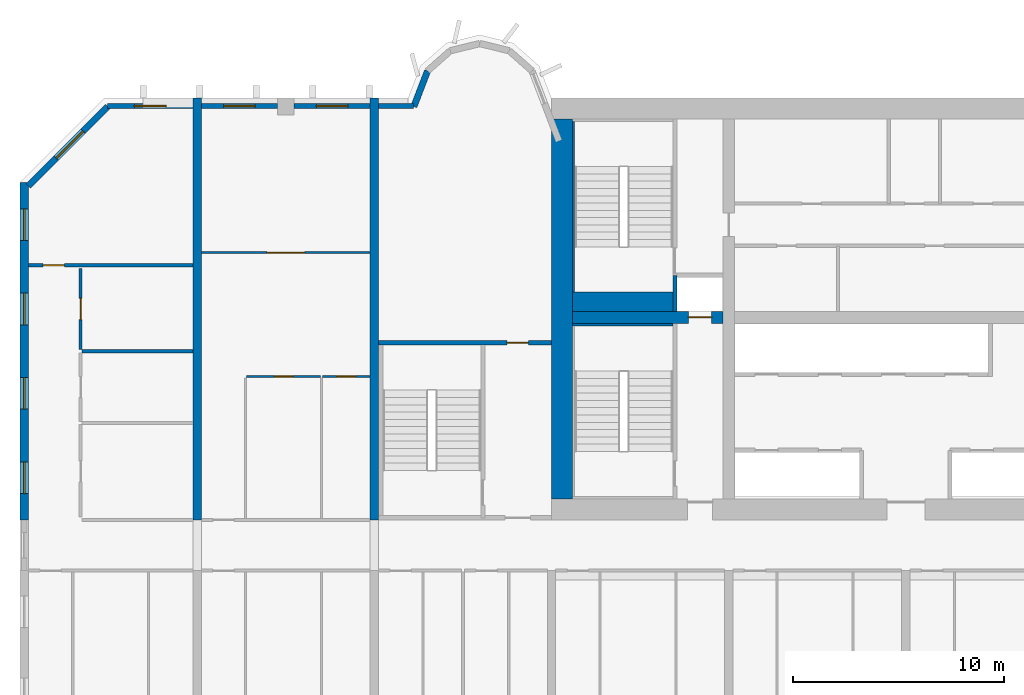
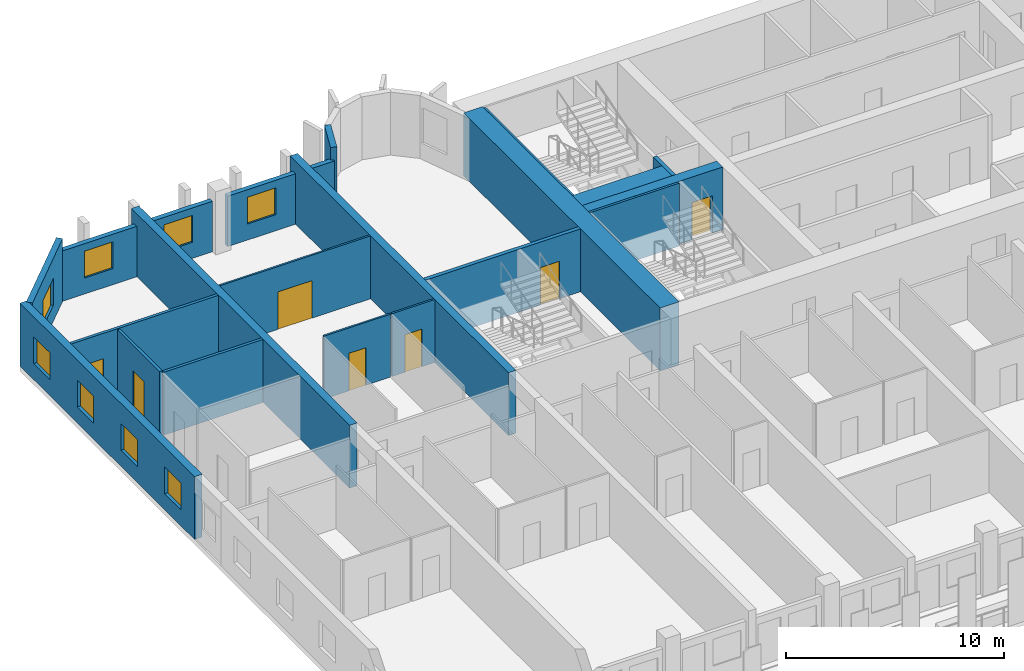
# One storey, part 6 of 15: 22 walls, 8 windows, 7 doors, 15 openings.
"""IFC4 building model written with IfcOpenShell, lengths in metres."""

import ifcopenshell
import ifcopenshell.guid

model = None  # the IFC model being written
_history = None  # IfcOwnerHistory: only IFC2X3 demands one
_inside = {}  # id of a spatial element -> (the spatial element, [elements in it])
_under = {}  # id of a project, library or spatial element -> (it, [spatial elements below it])
_declared = {}  # id of a project -> (the project, [libraries it declares])
_typed = {}  # id of a type object -> (the type object, [elements of that type])
_made_of = {}  # id of a material, layer set ... -> (it, [elements and type objects made of it])


def new_model(schema):
    """Start an empty IFC model of exactly this schema.

    Asked for "IFC4X3", IfcOpenShell would pick the latest addendum, in which some entities
    have other attributes; the version numbers below select the first issue.
    IFC2X3 requires an IfcOwnerHistory on every rooted entity: one is made here for all.
    """
    global model, _history
    if schema == "IFC4X3":
        model = ifcopenshell.file(schema_version=(4, 3, 0, 0))
    else:
        model = ifcopenshell.file(schema=schema)
    _inside.clear()
    _under.clear()
    _declared.clear()
    _typed.clear()
    _made_of.clear()
    _history = None
    if model.schema == "IFC2X3":
        org = make("IfcOrganization", Name="unknown")
        user = make(
            "IfcPersonAndOrganization",
            ThePerson=make("IfcPerson", FamilyName="unknown"),
            TheOrganization=org,
        )
        app = make(
            "IfcApplication",
            ApplicationDeveloper=org,
            Version="unknown",
            ApplicationFullName="unknown",
            ApplicationIdentifier="unknown",
        )
        _history = make(
            "IfcOwnerHistory",
            OwningUser=user,
            OwningApplication=app,
            ChangeAction="ADDED",
            CreationDate=0,
        )
    return model


def make(cls, **values):
    """One entity of the class cls with the attributes given. An attribute that is None is left unset."""
    return model.create_entity(
        cls, **{name: value for name, value in values.items() if value is not None}
    )


def rooted(cls, **values):
    """An entity with a GlobalId (a new one), such as an element, a storey or a relation."""
    return make(cls, GlobalId=ifcopenshell.guid.new(), OwnerHistory=_history, **values)


def si_unit(unit_type, name, prefix=None):
    """IfcSIUnit, for example si_unit("LENGTHUNIT", "METRE", prefix="MILLI")."""
    return make("IfcSIUnit", UnitType=unit_type, Prefix=prefix, Name=name)


def assignment(units):
    """IfcUnitAssignment: the units of a project."""
    return None if units is None else make("IfcUnitAssignment", Units=units)


def point(xyz):
    """IfcCartesianPoint."""
    return None if xyz is None else make("IfcCartesianPoint", Coordinates=xyz)


def direction(xyz):
    """IfcDirection."""
    return None if xyz is None else make("IfcDirection", DirectionRatios=xyz)


def frame(location, z_axis=None, x_axis=None):
    """IfcAxis2Placement3D, a coordinate frame: its origin and axes. An axis left out is left unset."""
    return make(
        "IfcAxis2Placement3D",
        Location=point(location),
        Axis=direction(z_axis),
        RefDirection=direction(x_axis),
    )


def frame_2d(location, x_axis=None):
    """IfcAxis2Placement2D, a coordinate frame in the plane: its origin and x axis."""
    return make(
        "IfcAxis2Placement2D", Location=point(location), RefDirection=direction(x_axis)
    )


def origin():
    """The frame at (0, 0, 0) with its axes left unset."""
    return frame((0.0, 0.0, 0.0))


def place(relative_to, where):
    """IfcLocalPlacement: puts the frame where relative to a parent placement (None: the world)."""
    return make(
        "IfcLocalPlacement", PlacementRelTo=relative_to, RelativePlacement=where
    )


def context(
    kind, dimensions, precision=None, world=None, true_north=None, identifier=None
):
    """IfcGeometricRepresentationContext, for example the 3D "Model" context."""
    return make(
        "IfcGeometricRepresentationContext",
        ContextIdentifier=identifier,
        ContextType=kind,
        CoordinateSpaceDimension=dimensions,
        Precision=precision,
        WorldCoordinateSystem=world,
        TrueNorth=true_north,
    )


def subcontext(parent, identifier, kind, view, scale=None):
    """IfcGeometricRepresentationSubContext, for example "Body" below "Model"."""
    return make(
        "IfcGeometricRepresentationSubContext",
        ContextIdentifier=identifier,
        ContextType=kind,
        ParentContext=parent,
        TargetScale=scale,
        TargetView=view,
    )


def project(units=None, contexts=None):
    """IfcProject with its units and contexts."""
    return rooted(
        "IfcProject",
        Name="project",
        RepresentationContexts=contexts,
        UnitsInContext=assignment(units),
    )


def spatial(cls, under=None, at=None, **own):
    """A site, building, storey or space (cls), placed at a placement, below another one or the project."""
    s = rooted(cls, ObjectPlacement=at, **own)
    if under is not None:
        _under.setdefault(under.id(), (under, []))[1].append(s)
    return s


def profile(cls, at=None, kind="AREA", **sizes):
    """A parametric profile (cls). Its sizes go by their IFC names, for example OverallWidth=200.0."""
    return make(cls, ProfileType=kind, Position=at, **sizes)


def rectangle(**sizes):
    """IfcRectangleProfileDef."""
    return profile("IfcRectangleProfileDef", **sizes)


def extrude(swept, where, along, depth):
    """IfcExtrudedAreaSolid: the profile swept, set in the frame where, extruded along a direction by depth."""
    return make(
        "IfcExtrudedAreaSolid",
        SweptArea=swept,
        Position=where,
        ExtrudedDirection=direction(along),
        Depth=depth,
    )


def shape(context_of_items, identifier, shape_type, items):
    """IfcShapeRepresentation: the items that make up one representation, for example the "Body"."""
    return make(
        "IfcShapeRepresentation",
        ContextOfItems=context_of_items,
        RepresentationIdentifier=identifier,
        RepresentationType=shape_type,
        Items=items,
    )


def source(mapping_origin, context_of_items, identifier, shape_type, items):
    """IfcRepresentationMap: a shape defined once, which mapped items show again and again."""
    return make(
        "IfcRepresentationMap",
        MappingOrigin=mapping_origin,
        MappedRepresentation=shape(context_of_items, identifier, shape_type, items),
    )


def transform(
    local_origin,
    x_axis=None,
    y_axis=None,
    z_axis=None,
    scale=None,
    scale2=None,
    scale3=None,
    uniform=True,
):
    """IfcCartesianTransformationOperator3D, or its non-uniform kind. x_axis, y_axis, z_axis: its Axis1, 2, 3."""
    if uniform:
        return make(
            "IfcCartesianTransformationOperator3D",
            Axis1=direction(x_axis),
            Axis2=direction(y_axis),
            LocalOrigin=point(local_origin),
            Scale=scale,
            Axis3=direction(z_axis),
        )
    return make(
        "IfcCartesianTransformationOperator3DnonUniform",
        Axis1=direction(x_axis),
        Axis2=direction(y_axis),
        LocalOrigin=point(local_origin),
        Scale=scale,
        Axis3=direction(z_axis),
        Scale2=scale2,
        Scale3=scale3,
    )


def mapped(mapping_source, mapping_target):
    """IfcMappedItem: shows the shape of a source again, moved by a transform."""
    return make(
        "IfcMappedItem", MappingSource=mapping_source, MappingTarget=mapping_target
    )


def material(Name=None, Category=None):
    """IfcMaterial."""
    return make("IfcMaterial", Name=Name, Category=Category)


def layer(
    of_material, thickness, ventilated=None, Name=None, Category=None, Priority=None
):
    """IfcMaterialLayer: one layer of a wall or slab, of a material (None: an air gap)."""
    return make(
        "IfcMaterialLayer",
        Material=of_material,
        LayerThickness=thickness,
        IsVentilated=ventilated,
        Name=Name,
        Category=Category,
        Priority=Priority,
    )


def layer_set(layers, Name=None):
    """IfcMaterialLayerSet."""
    return make("IfcMaterialLayerSet", MaterialLayers=layers, LayerSetName=Name)


def made_of(thing, what):
    """Note that an element or type object is made of a material, layer set ...; save() writes the relation."""
    if what is not None:
        _made_of.setdefault(what.id(), (what, []))[1].append(thing)
    return thing


def type_object(cls, material=None, **own):
    """A type object (cls), such as IfcWallType, which elements share."""
    return made_of(rooted(cls, **own), material)


def element(
    cls,
    number,
    at=None,
    inside=None,
    cuts=None,
    type_object=None,
    material=None,
    context=None,
    identifier="Body",
    shape_type=None,
    held_by="IfcProductDefinitionShape",
    body=None,
    shapes=None,
    **own,
):
    """One element of the class cls, such as IfcWall. Its Tag is "e" and its number.

    at: its placement. inside: the storey or other place that contains it. cuts: it is an
    opening in that element (IfcRelVoidsElement). A single representation is given by context,
    identifier, shape_type and body (its items); several are given by shapes. held_by: the class
    of the entity that holds the representations. save() writes the other relations.
    """
    e = rooted(cls, Tag="e%d" % number, ObjectPlacement=at, **own)
    if body is not None:
        shapes = [shape(context, identifier, shape_type, body)]
    if shapes is not None:
        e.Representation = make(held_by, Representations=shapes)
    if inside is not None:
        _inside.setdefault(inside.id(), (inside, []))[1].append(e)
    if cuts is not None:
        rooted(
            "IfcRelVoidsElement", RelatingBuildingElement=cuts, RelatedOpeningElement=e
        )
    if type_object is not None:
        _typed.setdefault(type_object.id(), (type_object, []))[1].append(e)
    return made_of(e, material)


def fill(opening, filler):
    """IfcRelFillsElement: the door or window that sits in an opening."""
    return rooted(
        "IfcRelFillsElement",
        RelatingOpeningElement=opening,
        RelatedBuildingElement=filler,
    )


def aggregate(whole, parts):
    """IfcRelAggregates: a whole, such as a stair, and the parts it consists of."""
    return rooted("IfcRelAggregates", RelatingObject=whole, RelatedObjects=parts)


def save(model, path):
    """Write the relations noted so far, then the file.

    IfcRelAggregates (storeys below a building ...), IfcRelContainedInSpatialStructure (elements
    in a storey), IfcRelDefinesByType, IfcRelAssociatesMaterial and IfcRelDeclares: one each for
    every whole, place, type object, material and project.
    """
    for whole, parts in _under.values():
        aggregate(whole, parts)
    for where, things in _inside.values():
        rooted(
            "IfcRelContainedInSpatialStructure",
            RelatedElements=things,
            RelatingStructure=where,
        )
    for kind, things in _typed.values():
        rooted("IfcRelDefinesByType", RelatedObjects=things, RelatingType=kind)
    for what, things in _made_of.values():
        rooted("IfcRelAssociatesMaterial", RelatedObjects=things, RelatingMaterial=what)
    for by, libraries in _declared.values():
        rooted("IfcRelDeclares", RelatingContext=by, RelatedDefinitions=libraries)
    model.write(path)


model = new_model("IFC4")

# Units and contexts
model_context = context("Model", 3, precision=1e-05, world=origin(), true_north=direction((0.0, 1.0)))
body_context = subcontext(model_context, "Body", "Model", "MODEL_VIEW")
ifc_project = project(units=[si_unit("LENGTHUNIT", "METRE"), si_unit("AREAUNIT", "SQUARE_METRE"), si_unit("VOLUMEUNIT", "CUBIC_METRE"), si_unit("PLANEANGLEUNIT", "RADIAN"), si_unit("MASSUNIT", "GRAM", prefix="KILO")], contexts=[model_context])

# Site, building, storey
site_placement = place(None, origin())
site = spatial("IfcSite", under=ifc_project, at=site_placement, CompositionType="ELEMENT")
building_placement = place(site_placement, origin())
building = spatial("IfcBuilding", under=site, at=building_placement, Name="Vanashikhar Sky Hotel", CompositionType="ELEMENT")
storey_placement = place(building_placement, frame((0.0, 0.0, 65.800048828125)))
storey = spatial("IfcBuildingStorey", under=building, at=storey_placement, Name="L15", CompositionType="ELEMENT", Elevation=65.800048828125)

# Wall
ifc_material_1 = material(Name="Concrete M80", Category="concrete")
ifc_layer_1 = layer(ifc_material_1, 1.0)
ifc_layer_set_1 = layer_set([ifc_layer_1], Name="RC core shell wall 1000 Concrete M80")
wall_type_1 = type_object("IfcWallType", Name="RC core shell wall 1000 Concrete M80", PredefinedType="SHEAR", material=ifc_layer_set_1)
shared_shape_1 = source(origin(), body_context, "Body", "SweptSolid", [
    extrude(rectangle(XDim=18.0, YDim=1.0, at=frame_2d((9.0, 0.0))), origin(), (0.0, 0.0, 1.0), 3.52001953125),
])
wall_1_placement = place(storey_placement, frame((25.699951171875, 23.0, 0.0), z_axis=(0.0, 0.0, 1.0), x_axis=(0.0, 1.0, 0.0)))
element("IfcWall", 1, at=wall_1_placement, inside=storey, type_object=wall_type_1, Name="KW-L15-KW", PredefinedType="SHEAR", context=body_context, shape_type="MappedRepresentation", body=[
    mapped(shared_shape_1, transform((0.0, 0.0, 0.0), scale=1.0)),
])

# Wall, opening, door
ifc_layer_2 = layer(ifc_material_1, 0.550048828125)
ifc_layer_set_2 = layer_set([ifc_layer_2], Name="RC core inner wall 550 Concrete M80")
wall_type_2 = type_object("IfcWallType", Name="RC core inner wall 550 Concrete M80", PredefinedType="SHEAR", material=ifc_layer_set_2)
shared_shape_2 = source(origin(), body_context, "Body", "SweptSolid", [
    extrude(rectangle(XDim=7.125, YDim=0.550048828125, at=frame_2d((3.5625, 0.0))), origin(), (0.0, 0.0, 1.0), 3.52001953125),
])
wall_2_placement = place(storey_placement, frame((26.199951171875, 31.60009765625, 0.0), z_axis=(0.0, 0.0, 1.0), x_axis=(1.0, 0.0, 0.0)))
wall_2 = element("IfcWall", 2, at=wall_2_placement, inside=storey, type_object=wall_type_2, Name="KW-L15-KY1", PredefinedType="SHEAR", context=body_context, shape_type="MappedRepresentation", body=[
    mapped(shared_shape_2, transform((0.0, 0.0, 0.0), scale=1.0)),
])
shared_shape_3 = source(origin(), body_context, "Body", "SweptSolid", [
    extrude(rectangle(XDim=1.10009765625, YDim=2.10009765625, at=frame_2d((0.550048828125, 1.050048828125))), frame((0.0, 0.28515625, 0.0), z_axis=(0.0, -1.0, 0.0), x_axis=(1.0, 0.0, 0.0)), (0.0, 0.0, 1.0), 0.570068359375),
])
opening_1_placement = place(wall_2_placement, frame((5.488037109375, 0.0, 0.0)))
opening_1 = element("IfcOpeningElement", 3, at=opening_1_placement, cuts=wall_2, Name="Opening LD", PredefinedType="OPENING", context=body_context, shape_type="MappedRepresentation", body=[
    mapped(shared_shape_3, transform((0.0, 0.0, 0.0), scale=1.0)),
])
ifc_material_2 = material(Name="Stainless steel", Category="steel")
door_type_1 = type_object("IfcDoorType", Name="Lift landing door 1100", OperationType="NOTDEFINED", PredefinedType="DOOR", material=ifc_material_2)
shared_shape_4 = source(origin(), body_context, "Body", "SweptSolid", [
    extrude(rectangle(XDim=1.10009765625, YDim=2.10009765625, at=frame_2d((0.550048828125, 1.050048828125))), frame((0.0, 0.02490234375, 0.0), z_axis=(0.0, -1.0, 0.0), x_axis=(1.0, 0.0, 0.0)), (0.0, 0.0, 1.0), 0.050048828125),
])
door_1_placement = place(opening_1_placement, origin())
door_1 = element("IfcDoor", 4, at=door_1_placement, inside=storey, type_object=door_type_1, Name="Lift landing door 1100", OperationType="SLIDING_TO_RIGHT", OverallHeight=2.10009765625, OverallWidth=1.10009765625, PredefinedType="DOOR", context=body_context, shape_type="MappedRepresentation", body=[
    mapped(shared_shape_4, transform((0.0, 0.0, 0.0), scale=1.0)),
])
fill(opening_1, door_1)

# Wall, openings, windows
ifc_layer_3 = layer(ifc_material_1, 0.39990234375)
ifc_layer_set_3 = layer_set([ifc_layer_3], Name="RC shear wall 400 Concrete M80")
wall_type_3 = type_object("IfcWallType", Name="RC shear wall 400 Concrete M80", PredefinedType="SHEAR", material=ifc_layer_set_3)
shared_shape_5 = source(origin(), body_context, "Body", "SweptSolid", [
    extrude(rectangle(XDim=16.0, YDim=0.39990234375, at=frame_2d((8.0, 0.0))), origin(), (0.0, 0.0, 1.0), 3.52001953125),
])
wall_3_placement = place(storey_placement, frame((0.199951171875, 22.0, 0.0), z_axis=(0.0, 0.0, 1.0), x_axis=(0.0, 1.0, 0.0)))
wall_3 = element("IfcWall", 5, at=wall_3_placement, inside=storey, type_object=wall_type_3, Name="CW-L15-XW01-2", PredefinedType="SHEAR", context=body_context, shape_type="MappedRepresentation", body=[
    mapped(shared_shape_5, transform((0.0, 0.0, 0.0), scale=1.0)),
])
shared_shape_6 = source(origin(), body_context, "Body", "SweptSolid", [
    extrude(rectangle(XDim=1.5, YDim=1.5, at=frame_2d((0.75, 0.75))), frame((0.0, 0.2099609375, 0.0), z_axis=(0.0, -1.0, 0.0), x_axis=(1.0, 0.0, 0.0)), (0.0, 0.0, 1.0), 0.419921875),
])
opening_2_placement = place(wall_3_placement, frame((1.25, 0.0, 0.89990234375)))
opening_2 = element("IfcOpeningElement", 6, at=opening_2_placement, cuts=wall_3, Name="Opening WN-1", PredefinedType="OPENING", context=body_context, shape_type="MappedRepresentation", body=[
    mapped(shared_shape_6, transform((0.0, 0.0, 0.0), scale=1.0)),
])
opening_3_placement = place(wall_3_placement, frame((5.25, 0.0, 0.89990234375)))
opening_3 = element("IfcOpeningElement", 7, at=opening_3_placement, cuts=wall_3, Name="Opening WN-1", PredefinedType="OPENING", context=body_context, shape_type="MappedRepresentation", body=[
    mapped(shared_shape_6, transform((0.0, 0.0, 0.0), scale=1.0)),
])
opening_4_placement = place(wall_3_placement, frame((9.25, 0.0, 0.89990234375)))
opening_4 = element("IfcOpeningElement", 8, at=opening_4_placement, cuts=wall_3, Name="Opening WN-1", PredefinedType="OPENING", context=body_context, shape_type="MappedRepresentation", body=[
    mapped(shared_shape_6, transform((0.0, 0.0, 0.0), scale=1.0)),
])
opening_5_placement = place(wall_3_placement, frame((13.25, 0.0, 0.89990234375)))
opening_5 = element("IfcOpeningElement", 9, at=opening_5_placement, cuts=wall_3, Name="Opening WN-1", PredefinedType="OPENING", context=body_context, shape_type="MappedRepresentation", body=[
    mapped(shared_shape_6, transform((0.0, 0.0, 0.0), scale=1.0)),
])
ifc_material_3 = material(Name="Glass", Category="glass")
window_type_1 = type_object("IfcWindowType", Name="Window 1500 x 1500", PartitioningType="SINGLE_PANEL", PredefinedType="WINDOW", material=ifc_material_3)
shared_shape_7 = source(origin(), body_context, "Body", "SweptSolid", [
    extrude(rectangle(XDim=1.5, YDim=1.5, at=frame_2d((0.75, 0.75))), frame((0.0, 0.030029296875, 0.0), z_axis=(0.0, -1.0, 0.0), x_axis=(1.0, 0.0, 0.0)), (0.0, 0.0, 1.0), 0.06005859375),
])
window_1_placement = place(opening_2_placement, origin())
window_1 = element("IfcWindow", 10, at=window_1_placement, inside=storey, type_object=window_type_1, Name="Window WN-1", OverallHeight=1.5, OverallWidth=1.5, PartitioningType="SINGLE_PANEL", PredefinedType="WINDOW", context=body_context, shape_type="MappedRepresentation", body=[
    mapped(shared_shape_7, transform((0.0, 0.0, 0.0), scale=1.0)),
])
fill(opening_2, window_1)
window_2_placement = place(opening_3_placement, origin())
window_2 = element("IfcWindow", 11, at=window_2_placement, inside=storey, type_object=window_type_1, Name="Window WN-1", OverallHeight=1.5, OverallWidth=1.5, PartitioningType="SINGLE_PANEL", PredefinedType="WINDOW", context=body_context, shape_type="MappedRepresentation", body=[
    mapped(shared_shape_7, transform((0.0, 0.0, 0.0), scale=1.0)),
])
fill(opening_3, window_2)
window_3_placement = place(opening_4_placement, origin())
window_3 = element("IfcWindow", 12, at=window_3_placement, inside=storey, type_object=window_type_1, Name="Window WN-1", OverallHeight=1.5, OverallWidth=1.5, PartitioningType="SINGLE_PANEL", PredefinedType="WINDOW", context=body_context, shape_type="MappedRepresentation", body=[
    mapped(shared_shape_7, transform((0.0, 0.0, 0.0), scale=1.0)),
])
fill(opening_4, window_3)
window_4_placement = place(opening_5_placement, origin())
window_4 = element("IfcWindow", 13, at=window_4_placement, inside=storey, type_object=window_type_1, Name="Window WN-1", OverallHeight=1.5, OverallWidth=1.5, PartitioningType="SINGLE_PANEL", PredefinedType="WINDOW", context=body_context, shape_type="MappedRepresentation", body=[
    mapped(shared_shape_7, transform((0.0, 0.0, 0.0), scale=1.0)),
])
fill(opening_5, window_4)

# Walls
shared_shape_8 = source(origin(), body_context, "Body", "SweptSolid", [
    extrude(rectangle(XDim=20.0, YDim=0.39990234375, at=frame_2d((10.0, 0.0))), origin(), (0.0, 0.0, 1.0), 3.52001953125),
])
for number, where, z_axis, x_axis, name in (
    (14, (8.39990234375, 22.0, 0.0), (0.0, 0.0, 1.0), (0.0, 1.0, 0.0), "CW-L15-XW02-2"),
    (15, (16.800048828125, 22.0, 0.0), (0.0, 0.0, 1.0), (0.0, 1.0, 0.0), "CW-L15-XW03-2"),
):
    element("IfcWall", number, at=place(storey_placement, frame(where, z_axis=z_axis, x_axis=x_axis)), inside=storey, type_object=wall_type_3, Name=name, PredefinedType="SHEAR", context=body_context, shape_type="MappedRepresentation", body=[
        mapped(shared_shape_8, transform((0.0, 0.0, 0.0), scale=1.0)),
    ])

# Wall, opening, window
ifc_material_4 = material(Name="Concrete M50", Category="concrete")
ifc_layer_4 = layer(ifc_material_4, 0.300048828125)
ifc_layer_set_4 = layer_set([ifc_layer_4], Name="Lobe wall 300")
wall_type_4 = type_object("IfcWallType", Name="Lobe wall 300", PredefinedType="SOLIDWALL", material=ifc_layer_set_4)
shared_shape_9 = source(origin(), body_context, "Body", "SweptSolid", [
    extrude(rectangle(XDim=5.32568359375, YDim=0.300048828125, at=frame_2d((2.662841796875, 0.0))), origin(), (0.0, 0.0, 1.0), 3.52001953125),
])
wall_4_placement = place(storey_placement, frame((4.165771484375, 41.60009765625, 0.0), z_axis=(0.0, 0.0, 1.0), x_axis=(-0.707106781187, -0.707106781187, 0.0)))
wall_4 = element("IfcWall", 16, at=wall_4_placement, inside=storey, type_object=wall_type_4, Name="Corner wall", PredefinedType="SOLIDWALL", context=body_context, shape_type="MappedRepresentation", body=[
    mapped(shared_shape_9, transform((0.0, 0.0, 0.0), scale=1.0)),
])
shared_shape_10 = source(origin(), body_context, "Body", "SweptSolid", [
    extrude(rectangle(XDim=1.800048828125, YDim=1.5, at=frame_2d((0.89990234375, 0.75))), frame((0.0, 0.16015625, 0.0), z_axis=(0.0, -1.0, 0.0), x_axis=(1.0, 0.0, 0.0)), (0.0, 0.0, 1.0), 0.320068359375),
])
opening_6_placement = place(wall_4_placement, frame((1.654296875, 0.0, 0.89990234375)))
opening_6 = element("IfcOpeningElement", 17, at=opening_6_placement, cuts=wall_4, Name="Opening WN-4", PredefinedType="OPENING", context=body_context, shape_type="MappedRepresentation", body=[
    mapped(shared_shape_10, transform((0.0, 0.0, 0.0), scale=1.0)),
])
window_type_2 = type_object("IfcWindowType", Name="Corner window 1800 x 1500", PartitioningType="SINGLE_PANEL", PredefinedType="WINDOW", material=ifc_material_3)
shared_shape_11 = source(origin(), body_context, "Body", "SweptSolid", [
    extrude(rectangle(XDim=1.800048828125, YDim=1.5, at=frame_2d((0.89990234375, 0.75))), frame((0.0, 0.030029296875, 0.0), z_axis=(0.0, -1.0, 0.0), x_axis=(1.0, 0.0, 0.0)), (0.0, 0.0, 1.0), 0.06005859375),
])
window_5_placement = place(opening_6_placement, origin())
window_5 = element("IfcWindow", 18, at=window_5_placement, inside=storey, type_object=window_type_2, Name="Window WN-4", OverallHeight=1.5, OverallWidth=1.800048828125, PartitioningType="SINGLE_PANEL", PredefinedType="WINDOW", context=body_context, shape_type="MappedRepresentation", body=[
    mapped(shared_shape_11, transform((0.0, 0.0, 0.0), scale=1.0)),
])
fill(opening_6, window_5)

# Walls
shared_shape_12 = source(origin(), body_context, "Body", "SweptSolid", [
    extrude(rectangle(XDim=1.81201171875, YDim=0.300048828125, at=frame_2d((0.906005859375, 0.0))), origin(), (0.0, 0.0, 1.0), 3.52001953125),
])
wall_5_placement = place(storey_placement, frame((19.323486328125, 43.2919921875, 0.0), z_axis=(0.0, 0.0, 1.0), x_axis=(-0.357877270961, -0.93376863244, 0.0)))
element("IfcWall", 19, at=wall_5_placement, inside=storey, type_object=wall_type_4, Name="Lobe wall", PredefinedType="SOLIDWALL", context=body_context, shape_type="MappedRepresentation", body=[
    mapped(shared_shape_12, transform((0.0, 0.0, 0.0), scale=1.0)),
])
ifc_layer_5 = layer(ifc_material_4, 0.25)
ifc_layer_set_5 = layer_set([ifc_layer_5], Name="Rear and end board-marked wall 250")
wall_type_5 = type_object("IfcWallType", Name="Rear and end board-marked wall 250", PredefinedType="SOLIDWALL", material=ifc_layer_set_5)
shared_shape_13 = source(origin(), body_context, "Body", "SweptSolid", [
    extrude(rectangle(XDim=1.657958984375, YDim=0.25, at=frame_2d((0.8291015625, 0.0))), origin(), (0.0, 0.0, 1.0), 2.820068359375),
])
wall_6_placement = place(storey_placement, frame((18.657958984375, 41.625, 0.0), z_axis=(0.0, 0.0, 1.0), x_axis=(-1.0, 0.0, 0.0)))
element("IfcWall", 20, at=wall_6_placement, inside=storey, type_object=wall_type_5, Name="Rear board-marked wall", PredefinedType="SOLIDWALL", context=body_context, shape_type="MappedRepresentation", body=[
    mapped(shared_shape_13, transform((0.0, 0.0, 0.0), scale=1.0)),
])

# Wall, opening, window
shared_shape_14 = source(origin(), body_context, "Body", "SweptSolid", [
    extrude(rectangle(XDim=3.60009765625, YDim=0.25, at=frame_2d((1.800048828125, 0.0))), origin(), (0.0, 0.0, 1.0), 2.820068359375),
])
wall_7_placement = place(storey_placement, frame((16.60009765625, 41.625, 0.0), z_axis=(0.0, 0.0, 1.0), x_axis=(-1.0, 0.0, 0.0)))
wall_7 = element("IfcWall", 21, at=wall_7_placement, inside=storey, type_object=wall_type_5, Name="Rear board-marked wall", PredefinedType="SOLIDWALL", context=body_context, shape_type="MappedRepresentation", body=[
    mapped(shared_shape_14, transform((0.0, 0.0, 0.0), scale=1.0)),
])
shared_shape_15 = source(origin(), body_context, "Body", "SweptSolid", [
    extrude(rectangle(XDim=1.5, YDim=1.5, at=frame_2d((0.75, 0.75))), frame((0.0, 0.135009765625, 0.0), z_axis=(0.0, -1.0, 0.0), x_axis=(1.0, 0.0, 0.0)), (0.0, 0.0, 1.0), 0.27001953125),
])
opening_7_placement = place(wall_7_placement, frame((1.050048828125, 0.0, 0.89990234375)))
opening_7 = element("IfcOpeningElement", 22, at=opening_7_placement, cuts=wall_7, Name="Opening WN-1", PredefinedType="OPENING", context=body_context, shape_type="MappedRepresentation", body=[
    mapped(shared_shape_15, transform((0.0, 0.0, 0.0), scale=1.0)),
])
window_6_placement = place(opening_7_placement, origin())
window_6 = element("IfcWindow", 23, at=window_6_placement, inside=storey, type_object=window_type_1, Name="Window WN-1", OverallHeight=1.5, OverallWidth=1.5, PartitioningType="SINGLE_PANEL", PredefinedType="WINDOW", context=body_context, shape_type="MappedRepresentation", body=[
    mapped(shared_shape_7, transform((0.0, 0.0, 0.0), scale=1.0)),
])
fill(opening_7, window_6)

shared_shape_16 = source(origin(), body_context, "Body", "SweptSolid", [
    extrude(rectangle(XDim=3.599853515625, YDim=0.25, at=frame_2d((1.7998046875, 0.0))), origin(), (0.0, 0.0, 1.0), 2.820068359375),
])
wall_8_placement = place(storey_placement, frame((12.199951171875, 41.625, 0.0), z_axis=(0.0, 0.0, 1.0), x_axis=(-1.0, 0.0, 0.0)))
wall_8 = element("IfcWall", 24, at=wall_8_placement, inside=storey, type_object=wall_type_5, Name="Rear board-marked wall", PredefinedType="SOLIDWALL", context=body_context, shape_type="MappedRepresentation", body=[
    mapped(shared_shape_16, transform((0.0, 0.0, 0.0), scale=1.0)),
])
opening_8_placement = place(wall_8_placement, frame((1.050048828125, 0.0, 0.89990234375)))
opening_8 = element("IfcOpeningElement", 25, at=opening_8_placement, cuts=wall_8, Name="Opening WN-1", PredefinedType="OPENING", context=body_context, shape_type="MappedRepresentation", body=[
    mapped(shared_shape_15, transform((0.0, 0.0, 0.0), scale=1.0)),
])
window_7_placement = place(opening_8_placement, origin())
window_7 = element("IfcWindow", 26, at=window_7_placement, inside=storey, type_object=window_type_1, Name="Window WN-1", OverallHeight=1.5, OverallWidth=1.5, PartitioningType="SINGLE_PANEL", PredefinedType="WINDOW", context=body_context, shape_type="MappedRepresentation", body=[
    mapped(shared_shape_7, transform((0.0, 0.0, 0.0), scale=1.0)),
])
fill(opening_8, window_7)

shared_shape_17 = source(origin(), body_context, "Body", "SweptSolid", [
    extrude(rectangle(XDim=4.044677734375, YDim=0.25, at=frame_2d((2.0224609375, 0.0))), origin(), (0.0, 0.0, 1.0), 2.820068359375),
])
wall_9_placement = place(storey_placement, frame((8.199951171875, 41.625, 0.0), z_axis=(0.0, 0.0, 1.0), x_axis=(-1.0, 0.0, 0.0)))
wall_9 = element("IfcWall", 27, at=wall_9_placement, inside=storey, type_object=wall_type_5, Name="Rear board-marked wall", PredefinedType="SOLIDWALL", context=body_context, shape_type="MappedRepresentation", body=[
    mapped(shared_shape_17, transform((0.0, 0.0, 0.0), scale=1.0)),
])
opening_9_placement = place(wall_9_placement, frame((1.2724609375, 0.0, 0.89990234375)))
opening_9 = element("IfcOpeningElement", 28, at=opening_9_placement, cuts=wall_9, Name="Opening WN-1", PredefinedType="OPENING", context=body_context, shape_type="MappedRepresentation", body=[
    mapped(shared_shape_15, transform((0.0, 0.0, 0.0), scale=1.0)),
])
window_8_placement = place(opening_9_placement, origin())
window_8 = element("IfcWindow", 29, at=window_8_placement, inside=storey, type_object=window_type_1, Name="Window WN-1", OverallHeight=1.5, OverallWidth=1.5, PartitioningType="SINGLE_PANEL", PredefinedType="WINDOW", context=body_context, shape_type="MappedRepresentation", body=[
    mapped(shared_shape_7, transform((0.0, 0.0, 0.0), scale=1.0)),
])
fill(opening_9, window_8)

# Wall, opening, door
ifc_layer_6 = layer(ifc_material_4, 0.199951171875)
ifc_layer_set_6 = layer_set([ifc_layer_6], Name="Stair wall 200")
wall_type_6 = type_object("IfcWallType", Name="Stair wall 200", PredefinedType="SOLIDWALL", material=ifc_layer_set_6)
shared_shape_18 = source(origin(), body_context, "Body", "SweptSolid", [
    extrude(rectangle(XDim=8.199951171875, YDim=0.199951171875, at=frame_2d((4.10009765625, 0.0))), origin(), (0.0, 0.0, 1.0), 3.52001953125),
])
wall_10_placement = place(storey_placement, frame((17.0, 30.39990234375, 0.0), z_axis=(0.0, 0.0, 1.0), x_axis=(1.0, 0.0, 0.0)))
wall_10 = element("IfcWall", 30, at=wall_10_placement, inside=storey, type_object=wall_type_6, Name="Stair wall 200", PredefinedType="SOLIDWALL", context=body_context, shape_type="MappedRepresentation", body=[
    mapped(shared_shape_18, transform((0.0, 0.0, 0.0), scale=1.0)),
])
shared_shape_19 = source(origin(), body_context, "Body", "SweptSolid", [
    extrude(rectangle(XDim=1.0, YDim=2.10009765625, at=frame_2d((0.5, 1.050048828125))), frame((0.0, 0.10986328125, 0.0), z_axis=(0.0, -1.0, 0.0), x_axis=(1.0, 0.0, 0.0)), (0.0, 0.0, 1.0), 0.219970703125),
])
opening_10_placement = place(wall_10_placement, frame((6.10009765625, 0.0, 0.0)))
opening_10 = element("IfcOpeningElement", 31, at=opening_10_placement, cuts=wall_10, Name="Opening DC-6", PredefinedType="OPENING", context=body_context, shape_type="MappedRepresentation", body=[
    mapped(shared_shape_19, transform((0.0, 0.0, 0.0), scale=1.0)),
])
ifc_material_5 = material(Name="Steel", Category="steel")
door_type_2 = type_object("IfcDoorType", Name="Pocket door 1000 FD60", OperationType="NOTDEFINED", PredefinedType="DOOR", material=ifc_material_5)
shared_shape_20 = source(origin(), body_context, "Body", "SweptSolid", [
    extrude(rectangle(XDim=1.0, YDim=2.10009765625, at=frame_2d((0.5, 1.050048828125))), frame((0.0, 0.02490234375, 0.0), z_axis=(0.0, -1.0, 0.0), x_axis=(1.0, 0.0, 0.0)), (0.0, 0.0, 1.0), 0.050048828125),
])
door_2_placement = place(opening_10_placement, origin())
door_2 = element("IfcDoor", 32, at=door_2_placement, inside=storey, type_object=door_type_2, Name="Pocket door 1000 FD60", OperationType="SINGLE_SWING_LEFT", OverallHeight=2.10009765625, OverallWidth=1.0, PredefinedType="DOOR", context=body_context, shape_type="MappedRepresentation", body=[
    mapped(shared_shape_20, transform((0.0, 0.0, 0.0), scale=1.0)),
])
fill(opening_10, door_2)

# Walls
ifc_layer_7 = layer(ifc_material_4, 0.10009765625)
ifc_layer_set_7 = layer_set([ifc_layer_7], Name="Stair infill wall 100")
wall_type_7 = type_object("IfcWallType", Name="Stair infill wall 100", PredefinedType="SOLIDWALL", material=ifc_layer_set_7)
shared_shape_21 = source(origin(), body_context, "Body", "SweptSolid", [
    extrude(rectangle(XDim=8.099853515625, YDim=0.10009765625, at=frame_2d((4.0498046875, 0.0))), origin(), (0.0, 0.0, 1.0), 3.52001953125),
])
wall_11_placement = place(storey_placement, frame((26.25, 32.800048828125, 0.0), z_axis=(0.0, 0.0, 1.0), x_axis=(0.0, 1.0, 0.0)))
element("IfcWall", 33, at=wall_11_placement, inside=storey, type_object=wall_type_7, Name="Stair infill wall 100", PredefinedType="SOLIDWALL", context=body_context, shape_type="MappedRepresentation", body=[
    mapped(shared_shape_21, transform((0.0, 0.0, 0.0), scale=1.0)),
])
ifc_material_6 = material(Name="Concrete M40", Category="concrete")
ifc_layer_8 = layer(ifc_material_6, 0.199951171875)
ifc_layer_set_8 = layer_set([ifc_layer_8], Name="Shaft wall 200")
wall_type_8 = type_object("IfcWallType", Name="Shaft wall 200", PredefinedType="SOLIDWALL", material=ifc_layer_set_8)
shared_shape_22 = source(origin(), body_context, "Body", "SweptSolid", [
    extrude(rectangle(XDim=1.72509765625, YDim=0.199951171875, at=frame_2d((0.862548828125, 0.0))), origin(), (0.0, 0.0, 1.0), 3.52001953125),
])
wall_12_placement = place(storey_placement, frame((31.050048828125, 31.875, 0.0), z_axis=(0.0, 0.0, 1.0), x_axis=(0.0, 1.0, 0.0)))
element("IfcWall", 34, at=wall_12_placement, inside=storey, type_object=wall_type_8, Name="Shaft wall 200", PredefinedType="SOLIDWALL", context=body_context, shape_type="MappedRepresentation", body=[
    mapped(shared_shape_22, transform((0.0, 0.0, 0.0), scale=1.0)),
])
ifc_layer_9 = layer(ifc_material_4, 0.125)
ifc_layer_set_9 = layer_set([ifc_layer_9], Name="Stair infill wall 125")
wall_type_9 = type_object("IfcWallType", Name="Stair infill wall 125", PredefinedType="SOLIDWALL", material=ifc_layer_set_9)
shared_shape_23 = source(origin(), body_context, "Body", "SweptSolid", [
    extrude(rectangle(XDim=4.75, YDim=0.125, at=frame_2d((2.375, 0.0))), origin(), (0.0, 0.0, 1.0), 3.52001953125),
])
wall_13_placement = place(storey_placement, frame((26.199951171875, 31.261962890625, 0.0), z_axis=(0.0, 0.0, 1.0), x_axis=(1.0, 0.0, 0.0)))
element("IfcWall", 35, at=wall_13_placement, inside=storey, type_object=wall_type_9, Name="Stair infill wall 125", PredefinedType="SOLIDWALL", context=body_context, shape_type="MappedRepresentation", body=[
    mapped(shared_shape_23, transform((0.0, 0.0, 0.0), scale=1.0)),
])
ifc_layer_10 = layer(ifc_material_4, 0.925048828125)
ifc_layer_set_10 = layer_set([ifc_layer_10], Name="Stair infill wall 925")
wall_type_10 = type_object("IfcWallType", Name="Stair infill wall 925", PredefinedType="SOLIDWALL", material=ifc_layer_set_10)
shared_shape_24 = source(origin(), body_context, "Body", "SweptSolid", [
    extrude(rectangle(XDim=4.75, YDim=0.925048828125, at=frame_2d((2.375, 0.0))), origin(), (0.0, 0.0, 1.0), 3.52001953125),
])
wall_14_placement = place(storey_placement, frame((26.199951171875, 32.3369140625, 0.0), z_axis=(0.0, 0.0, 1.0), x_axis=(1.0, 0.0, 0.0)))
element("IfcWall", 36, at=wall_14_placement, inside=storey, type_object=wall_type_10, Name="Stair infill wall 925", PredefinedType="SOLIDWALL", context=body_context, shape_type="MappedRepresentation", body=[
    mapped(shared_shape_24, transform((0.0, 0.0, 0.0), scale=1.0)),
])

# Wall, opening, door
ifc_material_7 = material(Name="Gypsum plasterboard partition")
ifc_layer_11 = layer(ifc_material_7, 0.14990234375)
ifc_layer_set_11 = layer_set([ifc_layer_11], Name="Corridor and demising partition 150")
wall_type_11 = type_object("IfcWallType", Name="Corridor and demising partition 150", PredefinedType="PARTITIONING", material=ifc_layer_set_11)
shared_shape_25 = source(origin(), body_context, "Body", "SweptSolid", [
    extrude(rectangle(XDim=3.85009765625, YDim=0.14990234375, at=frame_2d((1.925048828125, 0.0))), origin(), (0.0, 0.0, 1.0), 3.52001953125),
])
wall_15_placement = place(storey_placement, frame((2.875, 30.074951171875, 0.0), z_axis=(0.0, 0.0, 1.0), x_axis=(0.0, 1.0, 0.0)))
wall_15 = element("IfcWall", 37, at=wall_15_placement, inside=storey, type_object=wall_type_11, Name="W-L15-PW075", PredefinedType="PARTITIONING", context=body_context, shape_type="MappedRepresentation", body=[
    mapped(shared_shape_25, transform((0.0, 0.0, 0.0), scale=1.0)),
])
shared_shape_26 = source(origin(), body_context, "Body", "SweptSolid", [
    extrude(rectangle(XDim=1.0, YDim=2.10009765625, at=frame_2d((0.5, 1.050048828125))), frame((0.0, 0.0849609375, 0.0), z_axis=(0.0, -1.0, 0.0), x_axis=(1.0, 0.0, 0.0)), (0.0, 0.0, 1.0), 0.169921875),
])
opening_11_placement = place(wall_15_placement, frame((1.425048828125, 0.0, 0.0)))
opening_11 = element("IfcOpeningElement", 38, at=opening_11_placement, cuts=wall_15, Name="Opening D-01", PredefinedType="OPENING", context=body_context, shape_type="MappedRepresentation", body=[
    mapped(shared_shape_26, transform((0.0, 0.0, 0.0), scale=1.0)),
])
ifc_material_8 = material(Name="Timber fire door", Category="wood")
door_type_3 = type_object("IfcDoorType", Name="Guest entry door 1000 FD30S", OperationType="NOTDEFINED", PredefinedType="DOOR", material=ifc_material_8)
door_3_placement = place(opening_11_placement, origin())
door_3 = element("IfcDoor", 39, at=door_3_placement, inside=storey, type_object=door_type_3, Name="D-L15-045", OperationType="SINGLE_SWING_LEFT", OverallHeight=2.10009765625, OverallWidth=1.0, PredefinedType="DOOR", context=body_context, shape_type="MappedRepresentation", body=[
    mapped(shared_shape_20, transform((0.0, 0.0, 0.0), scale=1.0)),
])
fill(opening_11, door_3)

ifc_layer_12 = layer(ifc_material_7, 0.10009765625)
ifc_layer_set_12 = layer_set([ifc_layer_12], Name="Wet room partition 100")
wall_type_12 = type_object("IfcWallType", Name="Wet room partition 100", PredefinedType="PARTITIONING", material=ifc_layer_set_12)
shared_shape_27 = source(origin(), body_context, "Body", "SweptSolid", [
    extrude(rectangle(XDim=3.5, YDim=0.10009765625, at=frame_2d((1.75, 0.0))), origin(), (0.0, 0.0, 1.0), 3.52001953125),
])
wall_16_placement = place(storey_placement, frame((10.75, 28.800048828125, 0.0), z_axis=(0.0, 0.0, 1.0), x_axis=(1.0, 0.0, 0.0)))
wall_16 = element("IfcWall", 40, at=wall_16_placement, inside=storey, type_object=wall_type_12, Name="W-L15-PW079", PredefinedType="PARTITIONING", context=body_context, shape_type="MappedRepresentation", body=[
    mapped(shared_shape_27, transform((0.0, 0.0, 0.0), scale=1.0)),
])
shared_shape_28 = source(origin(), body_context, "Body", "SweptSolid", [
    extrude(rectangle(XDim=0.89990234375, YDim=2.10009765625, at=frame_2d((0.449951171875, 1.050048828125))), frame((0.0, 0.06005859375, 0.0), z_axis=(0.0, -1.0, 0.0), x_axis=(1.0, 0.0, 0.0)), (0.0, 0.0, 1.0), 0.1201171875),
])
opening_12_placement = place(wall_16_placement, frame((1.300048828125, 0.0, 0.0)))
opening_12 = element("IfcOpeningElement", 41, at=opening_12_placement, cuts=wall_16, Name="Opening D-02", PredefinedType="OPENING", context=body_context, shape_type="MappedRepresentation", body=[
    mapped(shared_shape_28, transform((0.0, 0.0, 0.0), scale=1.0)),
])
ifc_material_9 = material(Name="Timber door", Category="wood")
door_type_4 = type_object("IfcDoorType", Name="Internal door 900", OperationType="NOTDEFINED", PredefinedType="DOOR", material=ifc_material_9)
shared_shape_29 = source(origin(), body_context, "Body", "SweptSolid", [
    extrude(rectangle(XDim=0.89990234375, YDim=2.10009765625, at=frame_2d((0.449951171875, 1.050048828125))), frame((0.0, 0.02490234375, 0.0), z_axis=(0.0, -1.0, 0.0), x_axis=(1.0, 0.0, 0.0)), (0.0, 0.0, 1.0), 0.050048828125),
])
door_4_placement = place(opening_12_placement, origin())
door_4 = element("IfcDoor", 42, at=door_4_placement, inside=storey, type_object=door_type_4, Name="D-L15-047", OperationType="SINGLE_SWING_LEFT", OverallHeight=2.10009765625, OverallWidth=0.89990234375, PredefinedType="DOOR", context=body_context, shape_type="MappedRepresentation", body=[
    mapped(shared_shape_29, transform((0.0, 0.0, 0.0), scale=1.0)),
])
fill(opening_12, door_4)

shared_shape_30 = source(origin(), body_context, "Body", "SweptSolid", [
    extrude(rectangle(XDim=8.0, YDim=0.10009765625, at=frame_2d((4.0, 0.0))), origin(), (0.0, 0.0, 1.0), 3.52001953125),
])
wall_17_placement = place(storey_placement, frame((8.60009765625, 34.672119140625, 0.0), z_axis=(0.0, 0.0, 1.0), x_axis=(1.0, 0.0, 0.0)))
wall_17 = element("IfcWall", 43, at=wall_17_placement, inside=storey, type_object=wall_type_12, Name="W-L15-PW081", PredefinedType="PARTITIONING", context=body_context, shape_type="MappedRepresentation", body=[
    mapped(shared_shape_30, transform((0.0, 0.0, 0.0), scale=1.0)),
])
shared_shape_31 = source(origin(), body_context, "Body", "SweptSolid", [
    extrude(rectangle(XDim=1.800048828125, YDim=2.10009765625, at=frame_2d((0.89990234375, 1.050048828125))), frame((0.0, 0.06005859375, 0.0), z_axis=(0.0, -1.0, 0.0), x_axis=(1.0, 0.0, 0.0)), (0.0, 0.0, 1.0), 0.1201171875),
])
opening_13_placement = place(wall_17_placement, frame((3.10009765625, 0.0, 0.0)))
opening_13 = element("IfcOpeningElement", 44, at=opening_13_placement, cuts=wall_17, Name="Opening D-08", PredefinedType="OPENING", context=body_context, shape_type="MappedRepresentation", body=[
    mapped(shared_shape_31, transform((0.0, 0.0, 0.0), scale=1.0)),
])
door_type_5 = type_object("IfcDoorType", Name="Double leaf door 1800", OperationType="NOTDEFINED", PredefinedType="DOOR", material=ifc_material_9)
shared_shape_32 = source(origin(), body_context, "Body", "SweptSolid", [
    extrude(rectangle(XDim=1.800048828125, YDim=2.10009765625, at=frame_2d((0.89990234375, 1.050048828125))), frame((0.0, 0.02490234375, 0.0), z_axis=(0.0, -1.0, 0.0), x_axis=(1.0, 0.0, 0.0)), (0.0, 0.0, 1.0), 0.050048828125),
])
door_5_placement = place(opening_13_placement, origin())
door_5 = element("IfcDoor", 45, at=door_5_placement, inside=storey, type_object=door_type_5, Name="D-L15-049", OperationType="DOUBLE_DOOR_SINGLE_SWING", OverallHeight=2.10009765625, OverallWidth=1.800048828125, PredefinedType="DOOR", context=body_context, shape_type="MappedRepresentation", body=[
    mapped(shared_shape_32, transform((0.0, 0.0, 0.0), scale=1.0)),
])
fill(opening_13, door_5)

# Wall
shared_shape_33 = source(origin(), body_context, "Body", "SweptSolid", [
    extrude(rectangle(XDim=5.25, YDim=0.14990234375, at=frame_2d((2.625, 0.0))), origin(), (0.0, 0.0, 1.0), 3.52001953125),
])
wall_18_placement = place(storey_placement, frame((2.949951171875, 30.0, 0.0), z_axis=(0.0, 0.0, 1.0), x_axis=(1.0, 0.0, 0.0)))
element("IfcWall", 46, at=wall_18_placement, inside=storey, type_object=wall_type_11, Name="W-L15-PW074", PredefinedType="PARTITIONING", context=body_context, shape_type="MappedRepresentation", body=[
    mapped(shared_shape_33, transform((0.0, 0.0, 0.0), scale=1.0)),
])

# Wall, opening, door
shared_shape_34 = source(origin(), body_context, "Body", "SweptSolid", [
    extrude(rectangle(XDim=7.800048828125, YDim=0.14990234375, at=frame_2d((3.89990234375, 0.0))), origin(), (0.0, 0.0, 1.0), 3.52001953125),
])
wall_19_placement = place(storey_placement, frame((0.39990234375, 34.074951171875, 0.0), z_axis=(0.0, 0.0, 1.0), x_axis=(1.0, 0.0, 0.0)))
wall_19 = element("IfcWall", 47, at=wall_19_placement, inside=storey, type_object=wall_type_11, Name="W-L15-PW076", PredefinedType="PARTITIONING", context=body_context, shape_type="MappedRepresentation", body=[
    mapped(shared_shape_34, transform((0.0, 0.0, 0.0), scale=1.0)),
])
opening_14_placement = place(wall_19_placement, frame((0.699951171875, 0.0, 0.0)))
opening_14 = element("IfcOpeningElement", 48, at=opening_14_placement, cuts=wall_19, Name="Opening D-01", PredefinedType="OPENING", context=body_context, shape_type="MappedRepresentation", body=[
    mapped(shared_shape_26, transform((0.0, 0.0, 0.0), scale=1.0)),
])
door_6_placement = place(opening_14_placement, origin())
door_6 = element("IfcDoor", 49, at=door_6_placement, inside=storey, type_object=door_type_3, Name="D-L15-046", OperationType="SINGLE_SWING_LEFT", OverallHeight=2.10009765625, OverallWidth=1.0, PredefinedType="DOOR", context=body_context, shape_type="MappedRepresentation", body=[
    mapped(shared_shape_20, transform((0.0, 0.0, 0.0), scale=1.0)),
])
fill(opening_14, door_6)

shared_shape_35 = source(origin(), body_context, "Body", "SweptSolid", [
    extrude(rectangle(XDim=2.25, YDim=0.10009765625, at=frame_2d((1.125, 0.0))), origin(), (0.0, 0.0, 1.0), 3.52001953125),
])
wall_20_placement = place(storey_placement, frame((14.35009765625, 28.800048828125, 0.0), z_axis=(0.0, 0.0, 1.0), x_axis=(1.0, 0.0, 0.0)))
wall_20 = element("IfcWall", 50, at=wall_20_placement, inside=storey, type_object=wall_type_12, Name="W-L15-PW080", PredefinedType="PARTITIONING", context=body_context, shape_type="MappedRepresentation", body=[
    mapped(shared_shape_35, transform((0.0, 0.0, 0.0), scale=1.0)),
])
opening_15_placement = place(wall_20_placement, frame((0.675048828125, 0.0, 0.0)))
opening_15 = element("IfcOpeningElement", 51, at=opening_15_placement, cuts=wall_20, Name="Opening D-02", PredefinedType="OPENING", context=body_context, shape_type="MappedRepresentation", body=[
    mapped(shared_shape_28, transform((0.0, 0.0, 0.0), scale=1.0)),
])
door_7_placement = place(opening_15_placement, origin())
door_7 = element("IfcDoor", 52, at=door_7_placement, inside=storey, type_object=door_type_4, Name="D-L15-048", OperationType="SINGLE_SWING_LEFT", OverallHeight=2.10009765625, OverallWidth=0.89990234375, PredefinedType="DOOR", context=body_context, shape_type="MappedRepresentation", body=[
    mapped(shared_shape_29, transform((0.0, 0.0, 0.0), scale=1.0)),
])
fill(opening_15, door_7)

save(model, "model.ifc")
